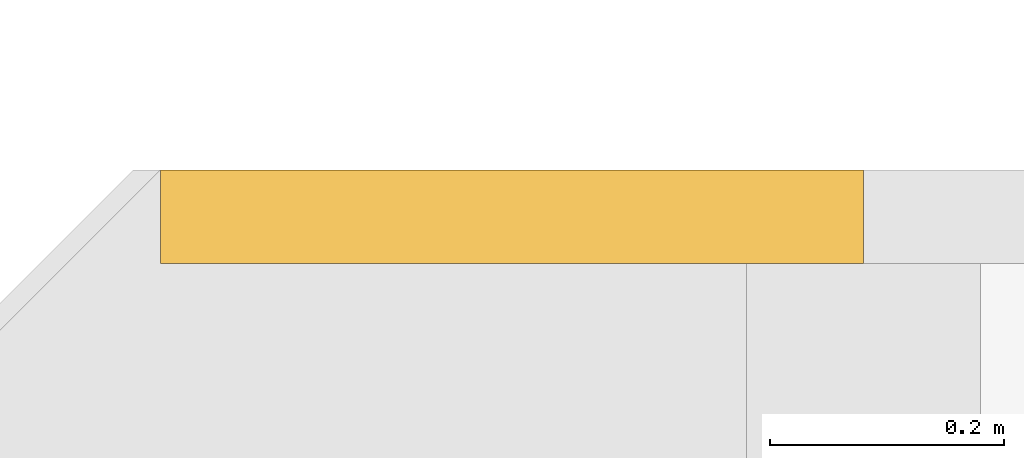
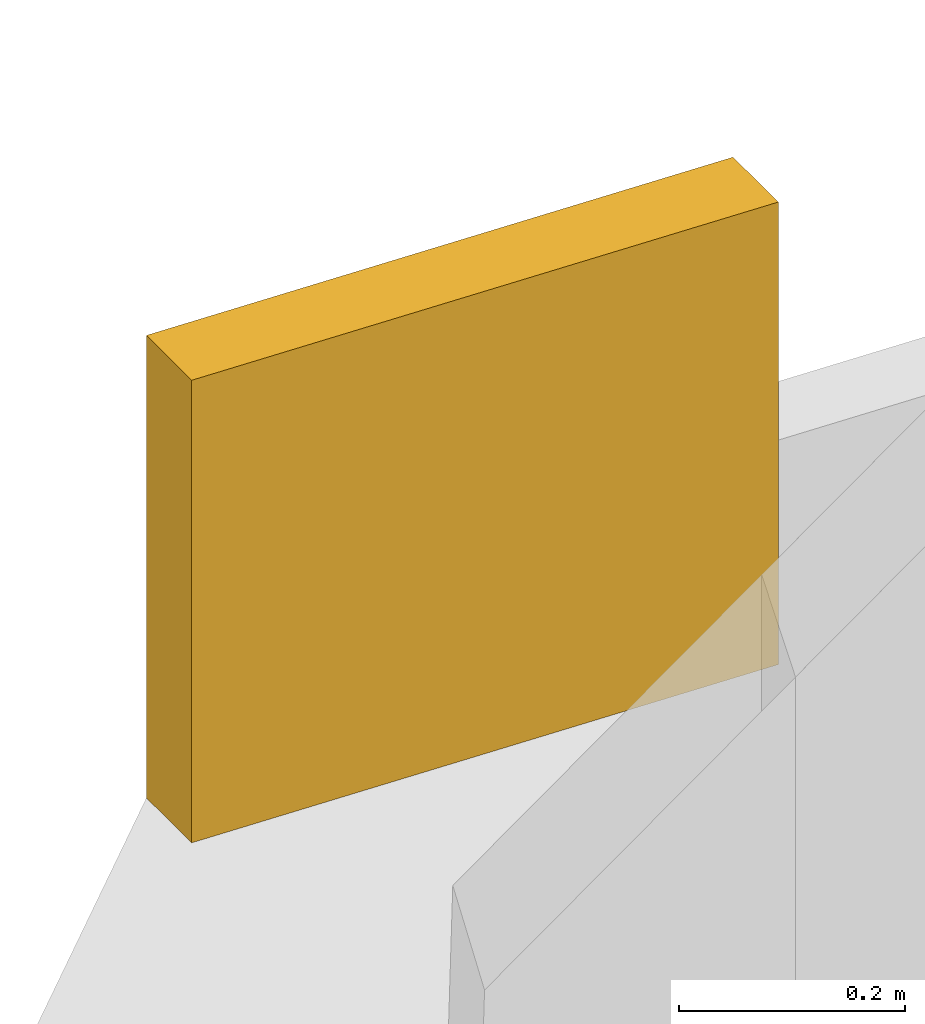
# One storey, part 30 of 30: 1 covering.
"""IFC4 building model written with IfcOpenShell, lengths in metres."""

from ifc_helpers import new_model, si_unit, direction, frame, origin, place, context, subcontext, project, spatial, polyline, outline, extrude, material, layer, layer_set, type_object, element, save


model = new_model("IFC4")

# Units and contexts
model_context = context("Model", 3, precision=1e-05, world=origin(), true_north=direction((0.0, 1.0)))
body_context = subcontext(model_context, "Body", "Model", "MODEL_VIEW")
ifc_project = project(units=[si_unit("LENGTHUNIT", "METRE"), si_unit("AREAUNIT", "SQUARE_METRE"), si_unit("VOLUMEUNIT", "CUBIC_METRE"), si_unit("PLANEANGLEUNIT", "RADIAN"), si_unit("MASSUNIT", "GRAM", prefix="KILO")], contexts=[model_context])

# Site, building, storey
site_placement = place(None, origin())
site = spatial("IfcSite", under=ifc_project, at=site_placement, CompositionType="ELEMENT")
building_placement = place(site_placement, origin())
building = spatial("IfcBuilding", under=site, at=building_placement, Name="Saffron Gate Tower", CompositionType="ELEMENT")
storey_placement = place(building_placement, frame((0.0, 0.0, 223.5)))
storey = spatial("IfcBuildingStorey", under=building, at=storey_placement, Name="L54", CompositionType="ELEMENT", Elevation=223.5)

# Covering
ifc_material = material(Name="Timber, thermally modified ash", Category="wood")
ifc_layer = layer(ifc_material, 0.080078125)
ifc_layer_set = layer_set([ifc_layer], Name="LD2 ledge planter trough")
covering_type = type_object("IfcCoveringType", Name="LD2 ledge planter trough", PredefinedType="CLADDING", material=ifc_layer_set)
covering_placement = place(storey_placement, frame((125.39990234375, 73.199951171875, 3.19580078125), z_axis=(0.0, 1.0, 0.0), x_axis=(-0.999582742162, 0.0, 0.028884971385)))
element("IfcCovering", 1, at=covering_placement, inside=storey, type_object=covering_type, Name="LEDGE planter trough", PredefinedType="CLADDING", context=body_context, shape_type="SweptSolid", body=[
    extrude(outline(polyline([(0.0, 0.0), (0.6001039136866089, 0.0), (0.614546399379222, 0.4997913710809928), (0.014442485692613144, 0.49979137108099286), (0.0, 0.0)])), origin(), (0.0, 0.0, -1.0), 0.080078125),
])

save(model, "model.ifc")
